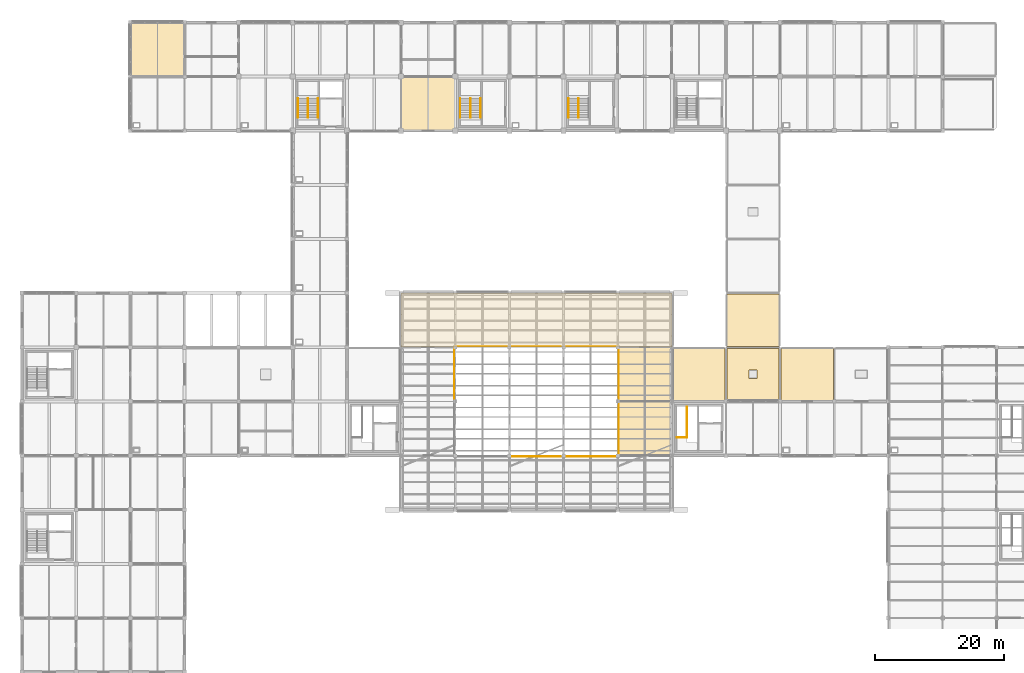
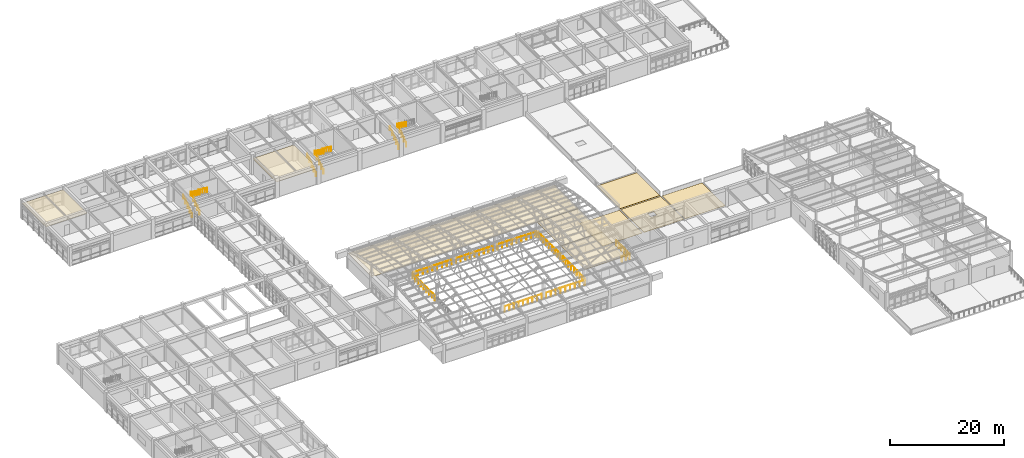
# One storey, part 73 of 74: 20 railings, 9 coverings.
"""IFC4 building model written with IfcOpenShell, lengths in metres."""

from ifc_helpers import new_model, si_unit, direction, frame, origin, origin_2d, place, context, subcontext, project, spatial, polyline, circle, outline, extrude, material, layer, layer_set, type_object, element, save


model = new_model("IFC4")

# Units and contexts
model_context = context("Model", 3, precision=1e-05, world=origin(), true_north=direction((0.0, 1.0)))
body_context = subcontext(model_context, "Body", "Model", "MODEL_VIEW")
ifc_project = project(units=[si_unit("LENGTHUNIT", "METRE"), si_unit("AREAUNIT", "SQUARE_METRE"), si_unit("VOLUMEUNIT", "CUBIC_METRE"), si_unit("PLANEANGLEUNIT", "RADIAN"), si_unit("MASSUNIT", "GRAM", prefix="KILO")], contexts=[model_context])

# Site, building, storey
site_placement = place(None, origin())
site = spatial("IfcSite", under=ifc_project, at=site_placement, CompositionType="ELEMENT")
building_placement = place(site_placement, origin())
building = spatial("IfcBuilding", under=site, at=building_placement, Name="Porcellanite Civic Hall", CompositionType="ELEMENT")
storey_placement = place(building_placement, frame((0.0, 0.0, 14.760009765625)))
storey = spatial("IfcBuildingStorey", under=building, at=storey_placement, Name="L03", CompositionType="ELEMENT", Elevation=14.760009765625)

# Coverings
ifc_material_1 = material(Name="Perforated acoustic mineral-fibre and spotted-gum batten ceiling")
ifc_layer_1 = layer(ifc_material_1, 0.02490234375)
ifc_layer_set_1 = layer_set([ifc_layer_1], Name="Perforated acoustic mineral-fibre and spotted-gum batten ceiling")
covering_type_1 = type_object("IfcCoveringType", Name="COV-CL1", PredefinedType="CEILING", material=ifc_layer_set_1)
covering_1_placement = place(storey_placement, frame((0.0, 0.0, 3.1650390625)))
element("IfcCovering", 1, at=covering_1_placement, inside=storey, type_object=covering_type_1, Name="Acoustic ceiling Council Chamber Press Gallery", PredefinedType="CEILING", context=body_context, shape_type="SweptSolid", body=[
    extrude(outline(polyline([(67.2099609375, 67.2099609375), (109.18994140625, 67.2099609375), (109.18994140625, 75.590087890625), (67.2099609375, 75.590087890625), (67.2099609375, 67.2099609375)])), origin(), (0.0, 0.0, 1.0), 0.02490234375),
])
ifc_material_2 = material(Name="Perforated acoustic mineral-fibre and spotted-gum batten ceiling")
ifc_layer_2 = layer(ifc_material_2, 0.044921875)
ifc_layer_set_2 = layer_set([ifc_layer_2], Name="Perforated acoustic mineral-fibre and spotted-gum batten ceiling")
covering_type_2 = type_object("IfcCoveringType", Name="COV-CL3", PredefinedType="CEILING", material=ifc_layer_set_2)
covering_2_placement = place(storey_placement, frame((0.0, 0.0, 3.14501953125)))
element("IfcCovering", 2, at=covering_2_placement, inside=storey, type_object=covering_type_2, Name="Acoustic ceiling GIS Mapping Laboratory L03-20", PredefinedType="CEILING", context=body_context, shape_type="SweptSolid", body=[
    extrude(outline(polyline([(25.2099609375, 109.2099609375), (33.590087890625, 109.2099609375), (33.590087890625, 117.590087890625), (25.2099609375, 117.590087890625), (25.2099609375, 109.2099609375)])), origin(), (0.0, 0.0, 1.0), 0.044921875),
])
covering_3_placement = place(storey_placement, frame((0.0, 0.0, 3.14501953125)))
element("IfcCovering", 3, at=covering_3_placement, inside=storey, type_object=covering_type_2, Name="Acoustic ceiling Urban Planning Studio L03-36", PredefinedType="CEILING", context=body_context, shape_type="SweptSolid", body=[
    extrude(outline(polyline([(67.2099609375, 100.81005859375), (75.590087890625, 100.81005859375), (75.590087890625, 109.18994140625), (67.2099609375, 109.18994140625), (67.2099609375, 100.81005859375)])), origin(), (0.0, 0.0, 1.0), 0.044921875),
])
covering_4_placement = place(storey_placement, frame((0.0, 0.0, 3.14501953125)))
element("IfcCovering", 4, at=covering_4_placement, inside=storey, type_object=covering_type_2, Name="Acoustic ceiling Hansard Editing Studio L03-41", PredefinedType="CEILING", context=body_context, shape_type="SweptSolid", body=[
    extrude(outline(polyline([(100.81005859375, 50.409912109375), (109.18994140625, 50.409912109375), (109.18994140625, 58.7900390625), (100.81005859375, 58.7900390625), (100.81005859375, 50.409912109375)])), origin(), (0.0, 0.0, 1.0), 0.044921875),
])
covering_5_placement = place(storey_placement, frame((0.0, 0.0, 3.14501953125)))
element("IfcCovering", 5, at=covering_5_placement, inside=storey, type_object=covering_type_2, Name="Acoustic ceiling Broadcast Control Studio L03-42", PredefinedType="CEILING", context=body_context, shape_type="SweptSolid", body=[
    extrude(outline(polyline([(100.81005859375, 58.81005859375), (109.18994140625, 58.81005859375), (109.18994140625, 67.18994140625), (100.81005859375, 67.18994140625), (100.81005859375, 58.81005859375)])), origin(), (0.0, 0.0, 1.0), 0.044921875),
])
ifc_material_3 = material(Name="Insulated light-reflective TPO monsoon roofing membrane")
ifc_layer_3 = layer(ifc_material_3, 0.080078125)
ifc_layer_set_3 = layer_set([ifc_layer_3], Name="Insulated light-reflective TPO monsoon roofing membrane")
covering_type_3 = type_object("IfcCoveringType", Name="COV-RF1", PredefinedType="ROOFING", material=ifc_layer_set_3)
covering_6_placement = place(storey_placement, origin())
element("IfcCovering", 6, at=covering_6_placement, inside=storey, type_object=covering_type_3, Name="Roof membrane L03 15-8", PredefinedType="ROOFING", context=body_context, shape_type="SweptSolid", body=[
    extrude(outline(polyline([(117.75, 58.949951171875), (125.85009765625, 58.949951171875), (125.85009765625, 67.050048828125), (117.75, 67.050048828125), (117.75, 58.949951171875)]), holes=[polyline([(121.14990234375, 62.35009765625), (122.449951171875, 62.35009765625), (122.449951171875, 63.64990234375), (121.14990234375, 63.64990234375), (121.14990234375, 62.35009765625)])]), origin(), (0.0, 0.0, 1.0), 0.080078125),
])
ifc_material_4 = material(Name="Insulated light-reflective TPO monsoon roofing membrane")
ifc_layer_4 = layer(ifc_material_4, 0.070068359375)
ifc_layer_set_4 = layer_set([ifc_layer_4], Name="Insulated light-reflective TPO monsoon roofing membrane")
covering_type_4 = type_object("IfcCoveringType", Name="COV-RF2", PredefinedType="ROOFING", material=ifc_layer_set_4)
covering_7_placement = place(storey_placement, origin())
element("IfcCovering", 7, at=covering_7_placement, inside=storey, type_object=covering_type_4, Name="Roof membrane L03 15-9", PredefinedType="ROOFING", context=body_context, shape_type="SweptSolid", body=[
    extrude(outline(polyline([(117.75, 67.35009765625), (125.85009765625, 67.35009765625), (125.85009765625, 75.449951171875), (117.75, 75.449951171875), (117.75, 67.35009765625)])), origin(), (0.0, 0.0, 1.0), 0.070068359375),
])
ifc_material_5 = material(Name="Insulated light-reflective TPO monsoon roofing membrane")
ifc_layer_5 = layer(ifc_material_5, 0.06005859375)
ifc_layer_set_5 = layer_set([ifc_layer_5], Name="Insulated light-reflective TPO monsoon roofing membrane")
covering_type_5 = type_object("IfcCoveringType", Name="COV-RF3", PredefinedType="ROOFING", material=ifc_layer_set_5)
covering_8_placement = place(storey_placement, origin())
element("IfcCovering", 8, at=covering_8_placement, inside=storey, type_object=covering_type_5, Name="Roof membrane L03 14-8", PredefinedType="ROOFING", context=body_context, shape_type="SweptSolid", body=[
    extrude(outline(polyline([(109.35009765625, 58.949951171875), (117.449951171875, 58.949951171875), (117.449951171875, 67.050048828125), (109.35009765625, 67.050048828125), (109.35009765625, 58.949951171875)])), origin(), (0.0, 0.0, 1.0), 0.06005859375),
])
covering_9_placement = place(storey_placement, origin())
element("IfcCovering", 9, at=covering_9_placement, inside=storey, type_object=covering_type_5, Name="Roof membrane L03 16-8", PredefinedType="ROOFING", context=body_context, shape_type="SweptSolid", body=[
    extrude(outline(polyline([(126.14990234375, 58.949951171875), (134.25, 58.949951171875), (134.25, 67.050048828125), (126.14990234375, 67.050048828125), (126.14990234375, 58.949951171875)])), origin(), (0.0, 0.0, 1.0), 0.06005859375),
])

# Railings
ifc_material_6 = material(Name="Brushed stainless steel 316", Category="steel")
railing_type_1 = type_object("IfcRailingType", Name="RL-GR114", PredefinedType="GUARDRAIL", material=ifc_material_6)
railing_1_placement = place(storey_placement, frame((110.010009765625, 53.219970703125, 0.0)))
element("IfcRailing", 10, at=railing_1_placement, inside=storey, type_object=railing_type_1, Name="Stairwell top guard ST-06 L03", PredefinedType="GUARDRAIL", context=body_context, shape_type="SweptSolid", body=[
    extrude(circle(Radius=0.02490234375, at=origin_2d()), frame((0.0, 0.0, 1.11474609375), z_axis=(1.0, 0.0, 0.0), x_axis=(0.0, 1.0, 0.0)), (0.0, 0.0, 1.0), 1.550048828125),
    extrude(circle(Radius=0.02490234375, at=origin_2d()), frame((1.550048828125, 0.0, 1.11474609375), z_axis=(0.0, 1.0, 0.0), x_axis=(-1.0, 0.0, 0.0)), (0.0, 0.0, 1.0), 4.77001953125),
    extrude(circle(Radius=0.02099609375, at=origin_2d()), origin(), (0.0, 0.0, 1.0), 1.08984375),
    extrude(circle(Radius=0.02099609375, at=origin_2d()), frame((0.77490234375, 0.0, 0.0)), (0.0, 0.0, 1.0), 1.08984375),
    extrude(circle(Radius=0.02099609375, at=origin_2d()), frame((1.550048828125, 0.0, 0.0)), (0.0, 0.0, 1.0), 1.08984375),
    extrude(circle(Radius=0.02099609375, at=origin_2d()), frame((1.550048828125, 0.9541015625, 0.0)), (0.0, 0.0, 1.0), 1.08984375),
    extrude(circle(Radius=0.02099609375, at=origin_2d()), frame((1.550048828125, 1.907958984375, 0.0)), (0.0, 0.0, 1.0), 1.08984375),
    extrude(circle(Radius=0.02099609375, at=origin_2d()), frame((1.550048828125, 2.862060546875, 0.0)), (0.0, 0.0, 1.0), 1.08984375),
    extrude(circle(Radius=0.02099609375, at=origin_2d()), frame((1.550048828125, 3.81591796875, 0.0)), (0.0, 0.0, 1.0), 1.08984375),
    extrude(circle(Radius=0.02099609375, at=origin_2d()), frame((1.550048828125, 4.77001953125, 0.0)), (0.0, 0.0, 1.0), 1.08984375),
])
railing_2_placement = place(storey_placement, frame((75.719970703125, 67.360107421875, 0.0)))
element("IfcRailing", 11, at=railing_2_placement, inside=storey, type_object=railing_type_1, Name="Gallery void guard L03 N 10-8", PredefinedType="GUARDRAIL", context=body_context, shape_type="SweptSolid", body=[
    extrude(circle(Radius=0.02490234375, at=origin_2d()), frame((0.0, 0.0, 1.11474609375), z_axis=(1.0, 0.0, 0.0), x_axis=(0.0, 1.0, 0.0)), (0.0, 0.0, 1.0), 7.830078125),
    extrude(circle(Radius=0.02197265625, at=origin_2d()), origin(), (0.0, 0.0, 1.0), 1.08984375),
    extrude(circle(Radius=0.02197265625, at=origin_2d()), frame((0.978759765625, 0.0, 0.0)), (0.0, 0.0, 1.0), 1.08984375),
    extrude(circle(Radius=0.02197265625, at=origin_2d()), frame((1.95751953125, 0.0, 0.0)), (0.0, 0.0, 1.0), 1.08984375),
    extrude(circle(Radius=0.02197265625, at=origin_2d()), frame((2.936279296875, 0.0, 0.0)), (0.0, 0.0, 1.0), 1.08984375),
    extrude(circle(Radius=0.02197265625, at=origin_2d()), frame((3.9150390625, 0.0, 0.0)), (0.0, 0.0, 1.0), 1.08984375),
    extrude(circle(Radius=0.02197265625, at=origin_2d()), frame((4.893798828125, 0.0, 0.0)), (0.0, 0.0, 1.0), 1.08984375),
    extrude(circle(Radius=0.02197265625, at=origin_2d()), frame((5.87255859375, 0.0, 0.0)), (0.0, 0.0, 1.0), 1.08984375),
    extrude(circle(Radius=0.02197265625, at=origin_2d()), frame((6.851318359375, 0.0, 0.0)), (0.0, 0.0, 1.0), 1.08984375),
    extrude(circle(Radius=0.02197265625, at=origin_2d()), frame((7.830078125, 0.0, 0.0)), (0.0, 0.0, 1.0), 1.08984375),
])
railing_3_placement = place(storey_placement, frame((75.43994140625, 59.25, 0.0)))
element("IfcRailing", 12, at=railing_3_placement, inside=storey, type_object=railing_type_1, Name="Gallery void guard L03 W 10-8", PredefinedType="GUARDRAIL", context=body_context, shape_type="SweptSolid", body=[
    extrude(circle(Radius=0.02490234375, at=origin_2d()), frame((0.0, 0.0, 1.11474609375), z_axis=(0.0, 1.0, 0.0), x_axis=(-1.0, 0.0, 0.0)), (0.0, 0.0, 1.0), 7.830078125),
    extrude(circle(Radius=0.02197265625, at=origin_2d()), origin(), (0.0, 0.0, 1.0), 1.08984375),
    extrude(circle(Radius=0.02197265625, at=origin_2d()), frame((0.0, 0.978759765625, 0.0)), (0.0, 0.0, 1.0), 1.08984375),
    extrude(circle(Radius=0.02197265625, at=origin_2d()), frame((0.0, 1.95751953125, 0.0)), (0.0, 0.0, 1.0), 1.08984375),
    extrude(circle(Radius=0.02197265625, at=origin_2d()), frame((0.0, 2.936279296875, 0.0)), (0.0, 0.0, 1.0), 1.08984375),
    extrude(circle(Radius=0.02197265625, at=origin_2d()), frame((0.0, 3.9150390625, 0.0)), (0.0, 0.0, 1.0), 1.08984375),
    extrude(circle(Radius=0.02197265625, at=origin_2d()), frame((0.0, 4.893798828125, 0.0)), (0.0, 0.0, 1.0), 1.08984375),
    extrude(circle(Radius=0.02197265625, at=origin_2d()), frame((0.0, 5.87255859375, 0.0)), (0.0, 0.0, 1.0), 1.08984375),
    extrude(circle(Radius=0.02197265625, at=origin_2d()), frame((0.0, 6.851318359375, 0.0)), (0.0, 0.0, 1.0), 1.08984375),
    extrude(circle(Radius=0.02197265625, at=origin_2d()), frame((0.0, 7.830078125, 0.0)), (0.0, 0.0, 1.0), 1.08984375),
])
for number, where, name in (
    (13, (84.449951171875, 50.239990234375, 0.0), "Gallery void guard L03 S 11-7"),
    (14, (84.449951171875, 67.360107421875, 0.0), "Gallery void guard L03 N 11-8"),
):
    element("IfcRailing", number, at=place(storey_placement, frame(where)), inside=storey, type_object=railing_type_1, Name=name, PredefinedType="GUARDRAIL", context=body_context, shape_type="SweptSolid", body=[
        extrude(circle(Radius=0.02490234375, at=origin_2d()), frame((0.0, 0.0, 1.11474609375), z_axis=(1.0, 0.0, 0.0), x_axis=(0.0, 1.0, 0.0)), (0.0, 0.0, 1.0), 7.5),
        extrude(circle(Radius=0.02197265625, at=origin_2d()), origin(), (0.0, 0.0, 1.0), 1.08984375),
        extrude(circle(Radius=0.02197265625, at=origin_2d()), frame((0.9375, 0.0, 0.0)), (0.0, 0.0, 1.0), 1.08984375),
        extrude(circle(Radius=0.02197265625, at=origin_2d()), frame((1.875, 0.0, 0.0)), (0.0, 0.0, 1.0), 1.08984375),
        extrude(circle(Radius=0.02197265625, at=origin_2d()), frame((2.8125, 0.0, 0.0)), (0.0, 0.0, 1.0), 1.08984375),
        extrude(circle(Radius=0.02197265625, at=origin_2d()), frame((3.75, 0.0, 0.0)), (0.0, 0.0, 1.0), 1.08984375),
        extrude(circle(Radius=0.02197265625, at=origin_2d()), frame((4.6875, 0.0, 0.0)), (0.0, 0.0, 1.0), 1.08984375),
        extrude(circle(Radius=0.02197265625, at=origin_2d()), frame((5.625, 0.0, 0.0)), (0.0, 0.0, 1.0), 1.08984375),
        extrude(circle(Radius=0.02197265625, at=origin_2d()), frame((6.5625, 0.0, 0.0)), (0.0, 0.0, 1.0), 1.08984375),
        extrude(circle(Radius=0.02197265625, at=origin_2d()), frame((7.5, 0.0, 0.0)), (0.0, 0.0, 1.0), 1.08984375),
    ])
railing_4_placement = place(storey_placement, frame((92.85009765625, 50.239990234375, 0.0)))
element("IfcRailing", 15, at=railing_4_placement, inside=storey, type_object=railing_type_1, Name="Gallery void guard L03 S 12-7", PredefinedType="GUARDRAIL", context=body_context, shape_type="SweptSolid", body=[
    extrude(circle(Radius=0.02490234375, at=origin_2d()), frame((0.0, 0.0, 1.11474609375), z_axis=(1.0, 0.0, 0.0), x_axis=(0.0, 1.0, 0.0)), (0.0, 0.0, 1.0), 7.829833984375),
    extrude(circle(Radius=0.02197265625, at=origin_2d()), origin(), (0.0, 0.0, 1.0), 1.08984375),
    extrude(circle(Radius=0.02197265625, at=origin_2d()), frame((0.978759765625, 0.0, 0.0)), (0.0, 0.0, 1.0), 1.08984375),
    extrude(circle(Radius=0.02197265625, at=origin_2d()), frame((1.95751953125, 0.0, 0.0)), (0.0, 0.0, 1.0), 1.08984375),
    extrude(circle(Radius=0.02197265625, at=origin_2d()), frame((2.936279296875, 0.0, 0.0)), (0.0, 0.0, 1.0), 1.08984375),
    extrude(circle(Radius=0.02197265625, at=origin_2d()), frame((3.9150390625, 0.0, 0.0)), (0.0, 0.0, 1.0), 1.08984375),
    extrude(circle(Radius=0.02197265625, at=origin_2d()), frame((4.8935546875, 0.0, 0.0)), (0.0, 0.0, 1.0), 1.08984375),
    extrude(circle(Radius=0.02197265625, at=origin_2d()), frame((5.872314453125, 0.0, 0.0)), (0.0, 0.0, 1.0), 1.08984375),
    extrude(circle(Radius=0.02197265625, at=origin_2d()), frame((6.85107421875, 0.0, 0.0)), (0.0, 0.0, 1.0), 1.08984375),
    extrude(circle(Radius=0.02197265625, at=origin_2d()), frame((7.829833984375, 0.0, 0.0)), (0.0, 0.0, 1.0), 1.08984375),
])
railing_5_placement = place(storey_placement, frame((100.9599609375, 50.52001953125, 0.0)))
element("IfcRailing", 16, at=railing_5_placement, inside=storey, type_object=railing_type_1, Name="Gallery void guard L03 E 12-7", PredefinedType="GUARDRAIL", context=body_context, shape_type="SweptSolid", body=[
    extrude(circle(Radius=0.02490234375, at=origin_2d()), frame((0.0, 0.0, 1.11474609375), z_axis=(0.0, 1.0, 0.0), x_axis=(-1.0, 0.0, 0.0)), (0.0, 0.0, 1.0), 7.830078125),
    extrude(circle(Radius=0.02197265625, at=origin_2d()), origin(), (0.0, 0.0, 1.0), 1.08984375),
    extrude(circle(Radius=0.02197265625, at=origin_2d()), frame((0.0, 0.978759765625, 0.0)), (0.0, 0.0, 1.0), 1.08984375),
    extrude(circle(Radius=0.02197265625, at=origin_2d()), frame((0.0, 1.95751953125, 0.0)), (0.0, 0.0, 1.0), 1.08984375),
    extrude(circle(Radius=0.02197265625, at=origin_2d()), frame((0.0, 2.936279296875, 0.0)), (0.0, 0.0, 1.0), 1.08984375),
    extrude(circle(Radius=0.02197265625, at=origin_2d()), frame((0.0, 3.9150390625, 0.0)), (0.0, 0.0, 1.0), 1.08984375),
    extrude(circle(Radius=0.02197265625, at=origin_2d()), frame((0.0, 4.893798828125, 0.0)), (0.0, 0.0, 1.0), 1.08984375),
    extrude(circle(Radius=0.02197265625, at=origin_2d()), frame((0.0, 5.87255859375, 0.0)), (0.0, 0.0, 1.0), 1.08984375),
    extrude(circle(Radius=0.02197265625, at=origin_2d()), frame((0.0, 6.851318359375, 0.0)), (0.0, 0.0, 1.0), 1.08984375),
    extrude(circle(Radius=0.02197265625, at=origin_2d()), frame((0.0, 7.830078125, 0.0)), (0.0, 0.0, 1.0), 1.08984375),
])
railing_6_placement = place(storey_placement, frame((92.85009765625, 67.360107421875, 0.0)))
element("IfcRailing", 17, at=railing_6_placement, inside=storey, type_object=railing_type_1, Name="Gallery void guard L03 N 12-8", PredefinedType="GUARDRAIL", context=body_context, shape_type="SweptSolid", body=[
    extrude(circle(Radius=0.02490234375, at=origin_2d()), frame((0.0, 0.0, 1.11474609375), z_axis=(1.0, 0.0, 0.0), x_axis=(0.0, 1.0, 0.0)), (0.0, 0.0, 1.0), 7.829833984375),
    extrude(circle(Radius=0.02197265625, at=origin_2d()), origin(), (0.0, 0.0, 1.0), 1.08984375),
    extrude(circle(Radius=0.02197265625, at=origin_2d()), frame((0.978759765625, 0.0, 0.0)), (0.0, 0.0, 1.0), 1.08984375),
    extrude(circle(Radius=0.02197265625, at=origin_2d()), frame((1.95751953125, 0.0, 0.0)), (0.0, 0.0, 1.0), 1.08984375),
    extrude(circle(Radius=0.02197265625, at=origin_2d()), frame((2.936279296875, 0.0, 0.0)), (0.0, 0.0, 1.0), 1.08984375),
    extrude(circle(Radius=0.02197265625, at=origin_2d()), frame((3.9150390625, 0.0, 0.0)), (0.0, 0.0, 1.0), 1.08984375),
    extrude(circle(Radius=0.02197265625, at=origin_2d()), frame((4.8935546875, 0.0, 0.0)), (0.0, 0.0, 1.0), 1.08984375),
    extrude(circle(Radius=0.02197265625, at=origin_2d()), frame((5.872314453125, 0.0, 0.0)), (0.0, 0.0, 1.0), 1.08984375),
    extrude(circle(Radius=0.02197265625, at=origin_2d()), frame((6.85107421875, 0.0, 0.0)), (0.0, 0.0, 1.0), 1.08984375),
    extrude(circle(Radius=0.02197265625, at=origin_2d()), frame((7.829833984375, 0.0, 0.0)), (0.0, 0.0, 1.0), 1.08984375),
])
railing_7_placement = place(storey_placement, frame((100.9599609375, 59.25, 0.0)))
element("IfcRailing", 18, at=railing_7_placement, inside=storey, type_object=railing_type_1, Name="Gallery void guard L03 E 12-8", PredefinedType="GUARDRAIL", context=body_context, shape_type="SweptSolid", body=[
    extrude(circle(Radius=0.02490234375, at=origin_2d()), frame((0.0, 0.0, 1.11474609375), z_axis=(0.0, 1.0, 0.0), x_axis=(-1.0, 0.0, 0.0)), (0.0, 0.0, 1.0), 7.830078125),
    extrude(circle(Radius=0.02197265625, at=origin_2d()), origin(), (0.0, 0.0, 1.0), 1.08984375),
    extrude(circle(Radius=0.02197265625, at=origin_2d()), frame((0.0, 0.978759765625, 0.0)), (0.0, 0.0, 1.0), 1.08984375),
    extrude(circle(Radius=0.02197265625, at=origin_2d()), frame((0.0, 1.95751953125, 0.0)), (0.0, 0.0, 1.0), 1.08984375),
    extrude(circle(Radius=0.02197265625, at=origin_2d()), frame((0.0, 2.936279296875, 0.0)), (0.0, 0.0, 1.0), 1.08984375),
    extrude(circle(Radius=0.02197265625, at=origin_2d()), frame((0.0, 3.9150390625, 0.0)), (0.0, 0.0, 1.0), 1.08984375),
    extrude(circle(Radius=0.02197265625, at=origin_2d()), frame((0.0, 4.893798828125, 0.0)), (0.0, 0.0, 1.0), 1.08984375),
    extrude(circle(Radius=0.02197265625, at=origin_2d()), frame((0.0, 5.87255859375, 0.0)), (0.0, 0.0, 1.0), 1.08984375),
    extrude(circle(Radius=0.02197265625, at=origin_2d()), frame((0.0, 6.851318359375, 0.0)), (0.0, 0.0, 1.0), 1.08984375),
    extrude(circle(Radius=0.02197265625, at=origin_2d()), frame((0.0, 7.830078125, 0.0)), (0.0, 0.0, 1.0), 1.08984375),
])
ifc_material_7 = material(Name="Brushed stainless steel 316", Category="steel")
railing_type_2 = type_object("IfcRailingType", Name="RL-HR920", PredefinedType="HANDRAIL", material=ifc_material_7)
railing_8_placement = place(storey_placement, frame((51.18505859375, 102.800048828125, 0.0)))
element("IfcRailing", 19, at=railing_8_placement, inside=storey, type_object=railing_type_2, Name="Stair handrail ST-03 L03 1", PredefinedType="HANDRAIL", context=body_context, shape_type="SweptSolid", body=[
    extrude(circle(Radius=0.02197265625, at=origin_2d()), frame((0.0, 0.0, 0.89794921875), z_axis=(0.0, 0.813826661234, 0.581107705564), x_axis=(-1.0, 0.0, 0.0)), (0.0, 0.0, 1.0), 3.716796875),
    extrude(circle(Radius=0.01904296875, at=origin_2d()), origin(), (0.0, 0.0, 1.0), 0.8759765625),
    extrude(circle(Radius=0.01904296875, at=origin_2d()), frame((0.0, 0.75634765625, 0.5400390625)), (0.0, 0.0, 1.0), 0.8759765625),
    extrude(circle(Radius=0.01904296875, at=origin_2d()), frame((0.0, 1.512451171875, 1.080078125)), (0.0, 0.0, 1.0), 0.8759765625),
    extrude(circle(Radius=0.01904296875, at=origin_2d()), frame((0.0, 2.2685546875, 1.619873046875)), (0.0, 0.0, 1.0), 0.8759765625),
    extrude(circle(Radius=0.01904296875, at=origin_2d()), frame((0.0, 3.02490234375, 2.159912109375)), (0.0, 0.0, 1.0), 0.8759765625),
])
railing_9_placement = place(storey_placement, frame((52.764892578125, 105.824951171875, 2.159912109375)))
element("IfcRailing", 20, at=railing_9_placement, inside=storey, type_object=railing_type_2, Name="Stair handrail ST-03 L03 3", PredefinedType="HANDRAIL", context=body_context, shape_type="SweptSolid", body=[
    extrude(circle(Radius=0.02197265625, at=origin_2d()), frame((0.0, 0.0, 0.89794921875), z_axis=(0.0, -0.813795597845, 0.581151206596), x_axis=(1.0, 0.0, 0.0)), (0.0, 0.0, 1.0), 3.717041015625),
    extrude(circle(Radius=0.01904296875, at=origin_2d()), origin(), (0.0, 0.0, 1.0), 0.8759765625),
    extrude(circle(Radius=0.01904296875, at=origin_2d()), frame((0.0, -0.75634765625, 0.5400390625)), (0.0, 0.0, 1.0), 0.8759765625),
    extrude(circle(Radius=0.01904296875, at=origin_2d()), frame((0.0, -1.512451171875, 1.080078125)), (0.0, 0.0, 1.0), 0.8759765625),
    extrude(circle(Radius=0.01904296875, at=origin_2d()), frame((0.0, -2.2685546875, 1.6201171875)), (0.0, 0.0, 1.0), 0.8759765625),
    extrude(circle(Radius=0.01904296875, at=origin_2d()), frame((0.0, -3.02490234375, 2.16015625)), (0.0, 0.0, 1.0), 0.8759765625),
])
railing_10_placement = place(storey_placement, frame((76.385009765625, 102.800048828125, 0.0)))
element("IfcRailing", 21, at=railing_10_placement, inside=storey, type_object=railing_type_2, Name="Stair handrail ST-09 L03 1", PredefinedType="HANDRAIL", context=body_context, shape_type="SweptSolid", body=[
    extrude(circle(Radius=0.02197265625, at=origin_2d()), frame((0.0, 0.0, 0.89794921875), z_axis=(0.0, 0.813826661234, 0.581107705564), x_axis=(-1.0, 0.0, 0.0)), (0.0, 0.0, 1.0), 3.716796875),
    extrude(circle(Radius=0.01904296875, at=origin_2d()), origin(), (0.0, 0.0, 1.0), 0.8759765625),
    extrude(circle(Radius=0.01904296875, at=origin_2d()), frame((0.0, 0.75634765625, 0.5400390625)), (0.0, 0.0, 1.0), 0.8759765625),
    extrude(circle(Radius=0.01904296875, at=origin_2d()), frame((0.0, 1.512451171875, 1.080078125)), (0.0, 0.0, 1.0), 0.8759765625),
    extrude(circle(Radius=0.01904296875, at=origin_2d()), frame((0.0, 2.2685546875, 1.619873046875)), (0.0, 0.0, 1.0), 0.8759765625),
    extrude(circle(Radius=0.01904296875, at=origin_2d()), frame((0.0, 3.02490234375, 2.159912109375)), (0.0, 0.0, 1.0), 0.8759765625),
])
railing_11_placement = place(storey_placement, frame((77.965087890625, 105.824951171875, 2.159912109375)))
element("IfcRailing", 22, at=railing_11_placement, inside=storey, type_object=railing_type_2, Name="Stair handrail ST-09 L03 3", PredefinedType="HANDRAIL", context=body_context, shape_type="SweptSolid", body=[
    extrude(circle(Radius=0.02197265625, at=origin_2d()), frame((0.0, 0.0, 0.89794921875), z_axis=(0.0, -0.813795597845, 0.581151206596), x_axis=(1.0, 0.0, 0.0)), (0.0, 0.0, 1.0), 3.717041015625),
    extrude(circle(Radius=0.01904296875, at=origin_2d()), origin(), (0.0, 0.0, 1.0), 0.8759765625),
    extrude(circle(Radius=0.01904296875, at=origin_2d()), frame((0.0, -0.75634765625, 0.5400390625)), (0.0, 0.0, 1.0), 0.8759765625),
    extrude(circle(Radius=0.01904296875, at=origin_2d()), frame((0.0, -1.512451171875, 1.080078125)), (0.0, 0.0, 1.0), 0.8759765625),
    extrude(circle(Radius=0.01904296875, at=origin_2d()), frame((0.0, -2.2685546875, 1.6201171875)), (0.0, 0.0, 1.0), 0.8759765625),
    extrude(circle(Radius=0.01904296875, at=origin_2d()), frame((0.0, -3.02490234375, 2.16015625)), (0.0, 0.0, 1.0), 0.8759765625),
])
railing_12_placement = place(storey_placement, frame((93.18505859375, 102.800048828125, 0.0)))
element("IfcRailing", 23, at=railing_12_placement, inside=storey, type_object=railing_type_2, Name="Stair handrail ST-10 L03 1", PredefinedType="HANDRAIL", context=body_context, shape_type="SweptSolid", body=[
    extrude(circle(Radius=0.02197265625, at=origin_2d()), frame((0.0, 0.0, 0.89794921875), z_axis=(0.0, 0.813826661234, 0.581107705564), x_axis=(-1.0, 0.0, 0.0)), (0.0, 0.0, 1.0), 3.716796875),
    extrude(circle(Radius=0.01904296875, at=origin_2d()), origin(), (0.0, 0.0, 1.0), 0.8759765625),
    extrude(circle(Radius=0.01904296875, at=origin_2d()), frame((0.0, 0.75634765625, 0.5400390625)), (0.0, 0.0, 1.0), 0.8759765625),
    extrude(circle(Radius=0.01904296875, at=origin_2d()), frame((0.0, 1.512451171875, 1.080078125)), (0.0, 0.0, 1.0), 0.8759765625),
    extrude(circle(Radius=0.01904296875, at=origin_2d()), frame((0.0, 2.2685546875, 1.619873046875)), (0.0, 0.0, 1.0), 0.8759765625),
    extrude(circle(Radius=0.01904296875, at=origin_2d()), frame((0.0, 3.02490234375, 2.159912109375)), (0.0, 0.0, 1.0), 0.8759765625),
])
railing_13_placement = place(storey_placement, frame((94.764892578125, 105.824951171875, 2.159912109375)))
element("IfcRailing", 24, at=railing_13_placement, inside=storey, type_object=railing_type_2, Name="Stair handrail ST-10 L03 3", PredefinedType="HANDRAIL", context=body_context, shape_type="SweptSolid", body=[
    extrude(circle(Radius=0.02197265625, at=origin_2d()), frame((0.0, 0.0, 0.89794921875), z_axis=(0.0, -0.813795597845, 0.581151206596), x_axis=(1.0, 0.0, 0.0)), (0.0, 0.0, 1.0), 3.717041015625),
    extrude(circle(Radius=0.01904296875, at=origin_2d()), origin(), (0.0, 0.0, 1.0), 0.8759765625),
    extrude(circle(Radius=0.01904296875, at=origin_2d()), frame((0.0, -0.75634765625, 0.5400390625)), (0.0, 0.0, 1.0), 0.8759765625),
    extrude(circle(Radius=0.01904296875, at=origin_2d()), frame((0.0, -1.512451171875, 1.080078125)), (0.0, 0.0, 1.0), 0.8759765625),
    extrude(circle(Radius=0.01904296875, at=origin_2d()), frame((0.0, -2.2685546875, 1.6201171875)), (0.0, 0.0, 1.0), 0.8759765625),
    extrude(circle(Radius=0.01904296875, at=origin_2d()), frame((0.0, -3.02490234375, 2.16015625)), (0.0, 0.0, 1.0), 0.8759765625),
])
ifc_material_8 = material(Name="Brushed stainless steel 316", Category="steel")
railing_type_3 = type_object("IfcRailingType", Name="RL-HR950", PredefinedType="HANDRAIL", material=ifc_material_8)
railing_14_placement = place(storey_placement, frame((52.735107421875, 102.800048828125, 0.0)))
element("IfcRailing", 25, at=railing_14_placement, inside=storey, type_object=railing_type_3, Name="Stair handrail ST-03 L03 2", PredefinedType="HANDRAIL", context=body_context, shape_type="SweptSolid", body=[
    extrude(circle(Radius=0.02197265625, at=origin_2d()), frame((0.0, 0.0, 0.927978515625), z_axis=(0.0, 0.813826661234, 0.581107705564), x_axis=(-1.0, 0.0, 0.0)), (0.0, 0.0, 1.0), 3.716796875),
    extrude(circle(Radius=0.01904296875, at=origin_2d()), origin(), (0.0, 0.0, 1.0), 0.906005859375),
    extrude(circle(Radius=0.01904296875, at=origin_2d()), frame((0.0, 0.75634765625, 0.5400390625)), (0.0, 0.0, 1.0), 0.906005859375),
    extrude(circle(Radius=0.01904296875, at=origin_2d()), frame((0.0, 1.512451171875, 1.080078125)), (0.0, 0.0, 1.0), 0.906005859375),
    extrude(circle(Radius=0.01904296875, at=origin_2d()), frame((0.0, 2.2685546875, 1.619873046875)), (0.0, 0.0, 1.0), 0.906005859375),
    extrude(circle(Radius=0.01904296875, at=origin_2d()), frame((0.0, 3.02490234375, 2.159912109375)), (0.0, 0.0, 1.0), 0.906005859375),
])
railing_15_placement = place(storey_placement, frame((54.31494140625, 105.824951171875, 2.159912109375)))
element("IfcRailing", 26, at=railing_15_placement, inside=storey, type_object=railing_type_3, Name="Stair handrail ST-03 L03 4", PredefinedType="HANDRAIL", context=body_context, shape_type="SweptSolid", body=[
    extrude(circle(Radius=0.02197265625, at=origin_2d()), frame((0.0, 0.0, 0.927978515625), z_axis=(0.0, -0.813795597845, 0.581151206596), x_axis=(1.0, 0.0, 0.0)), (0.0, 0.0, 1.0), 3.717041015625),
    extrude(circle(Radius=0.01904296875, at=origin_2d()), origin(), (0.0, 0.0, 1.0), 0.906005859375),
    extrude(circle(Radius=0.01904296875, at=origin_2d()), frame((0.0, -0.75634765625, 0.5400390625)), (0.0, 0.0, 1.0), 0.906005859375),
    extrude(circle(Radius=0.01904296875, at=origin_2d()), frame((0.0, -1.512451171875, 1.080078125)), (0.0, 0.0, 1.0), 0.906005859375),
    extrude(circle(Radius=0.01904296875, at=origin_2d()), frame((0.0, -2.2685546875, 1.6201171875)), (0.0, 0.0, 1.0), 0.906005859375),
    extrude(circle(Radius=0.01904296875, at=origin_2d()), frame((0.0, -3.02490234375, 2.16015625)), (0.0, 0.0, 1.0), 0.906005859375),
])
railing_16_placement = place(storey_placement, frame((77.93505859375, 102.800048828125, 0.0)))
element("IfcRailing", 27, at=railing_16_placement, inside=storey, type_object=railing_type_3, Name="Stair handrail ST-09 L03 2", PredefinedType="HANDRAIL", context=body_context, shape_type="SweptSolid", body=[
    extrude(circle(Radius=0.02197265625, at=origin_2d()), frame((0.0, 0.0, 0.927978515625), z_axis=(0.0, 0.813826661234, 0.581107705564), x_axis=(-1.0, 0.0, 0.0)), (0.0, 0.0, 1.0), 3.716796875),
    extrude(circle(Radius=0.01904296875, at=origin_2d()), origin(), (0.0, 0.0, 1.0), 0.906005859375),
    extrude(circle(Radius=0.01904296875, at=origin_2d()), frame((0.0, 0.75634765625, 0.5400390625)), (0.0, 0.0, 1.0), 0.906005859375),
    extrude(circle(Radius=0.01904296875, at=origin_2d()), frame((0.0, 1.512451171875, 1.080078125)), (0.0, 0.0, 1.0), 0.906005859375),
    extrude(circle(Radius=0.01904296875, at=origin_2d()), frame((0.0, 2.2685546875, 1.619873046875)), (0.0, 0.0, 1.0), 0.906005859375),
    extrude(circle(Radius=0.01904296875, at=origin_2d()), frame((0.0, 3.02490234375, 2.159912109375)), (0.0, 0.0, 1.0), 0.906005859375),
])
railing_17_placement = place(storey_placement, frame((79.514892578125, 105.824951171875, 2.159912109375)))
element("IfcRailing", 28, at=railing_17_placement, inside=storey, type_object=railing_type_3, Name="Stair handrail ST-09 L03 4", PredefinedType="HANDRAIL", context=body_context, shape_type="SweptSolid", body=[
    extrude(circle(Radius=0.02197265625, at=origin_2d()), frame((0.0, 0.0, 0.927978515625), z_axis=(0.0, -0.813795597845, 0.581151206596), x_axis=(1.0, 0.0, 0.0)), (0.0, 0.0, 1.0), 3.717041015625),
    extrude(circle(Radius=0.01904296875, at=origin_2d()), origin(), (0.0, 0.0, 1.0), 0.906005859375),
    extrude(circle(Radius=0.01904296875, at=origin_2d()), frame((0.0, -0.75634765625, 0.5400390625)), (0.0, 0.0, 1.0), 0.906005859375),
    extrude(circle(Radius=0.01904296875, at=origin_2d()), frame((0.0, -1.512451171875, 1.080078125)), (0.0, 0.0, 1.0), 0.906005859375),
    extrude(circle(Radius=0.01904296875, at=origin_2d()), frame((0.0, -2.2685546875, 1.6201171875)), (0.0, 0.0, 1.0), 0.906005859375),
    extrude(circle(Radius=0.01904296875, at=origin_2d()), frame((0.0, -3.02490234375, 2.16015625)), (0.0, 0.0, 1.0), 0.906005859375),
])
railing_18_placement = place(storey_placement, frame((94.735107421875, 102.800048828125, 0.0)))
element("IfcRailing", 29, at=railing_18_placement, inside=storey, type_object=railing_type_3, Name="Stair handrail ST-10 L03 2", PredefinedType="HANDRAIL", context=body_context, shape_type="SweptSolid", body=[
    extrude(circle(Radius=0.02197265625, at=origin_2d()), frame((0.0, 0.0, 0.927978515625), z_axis=(0.0, 0.813826661234, 0.581107705564), x_axis=(-1.0, 0.0, 0.0)), (0.0, 0.0, 1.0), 3.716796875),
    extrude(circle(Radius=0.01904296875, at=origin_2d()), origin(), (0.0, 0.0, 1.0), 0.906005859375),
    extrude(circle(Radius=0.01904296875, at=origin_2d()), frame((0.0, 0.75634765625, 0.5400390625)), (0.0, 0.0, 1.0), 0.906005859375),
    extrude(circle(Radius=0.01904296875, at=origin_2d()), frame((0.0, 1.512451171875, 1.080078125)), (0.0, 0.0, 1.0), 0.906005859375),
    extrude(circle(Radius=0.01904296875, at=origin_2d()), frame((0.0, 2.2685546875, 1.619873046875)), (0.0, 0.0, 1.0), 0.906005859375),
    extrude(circle(Radius=0.01904296875, at=origin_2d()), frame((0.0, 3.02490234375, 2.159912109375)), (0.0, 0.0, 1.0), 0.906005859375),
])

save(model, "model.ifc")
